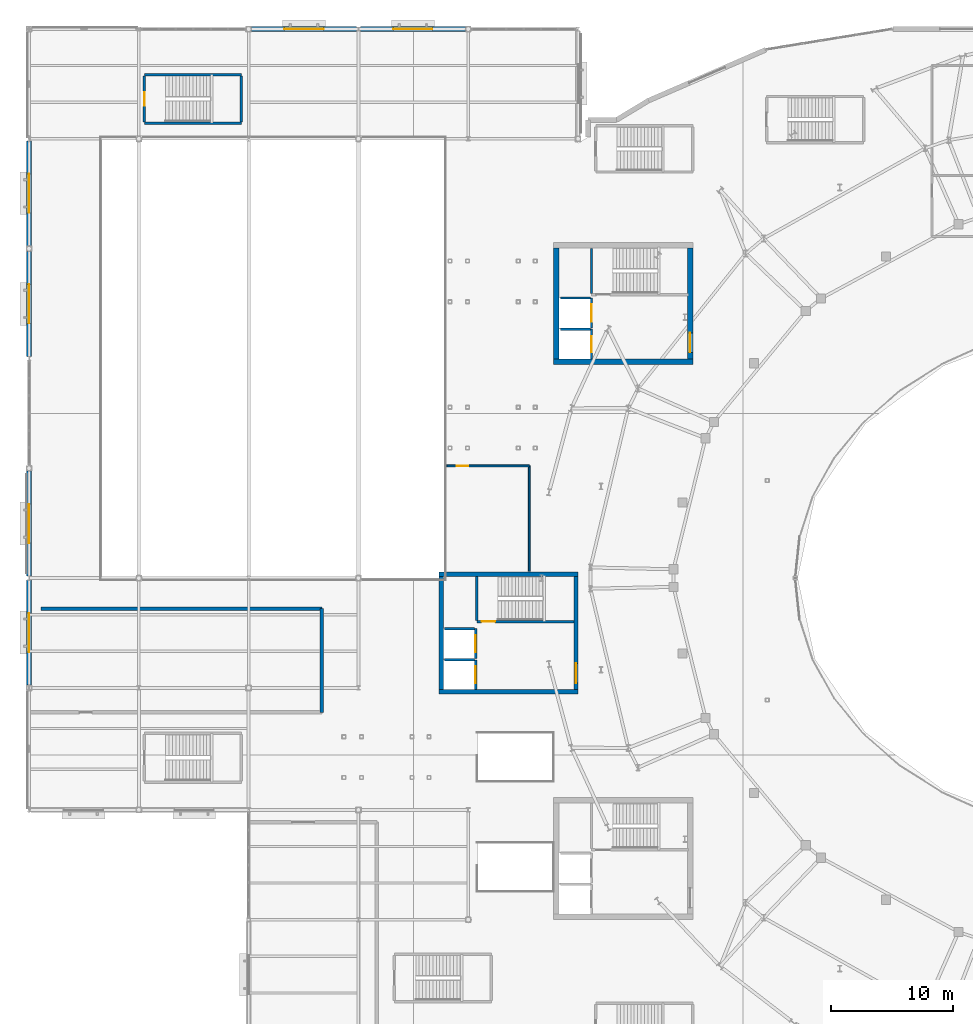
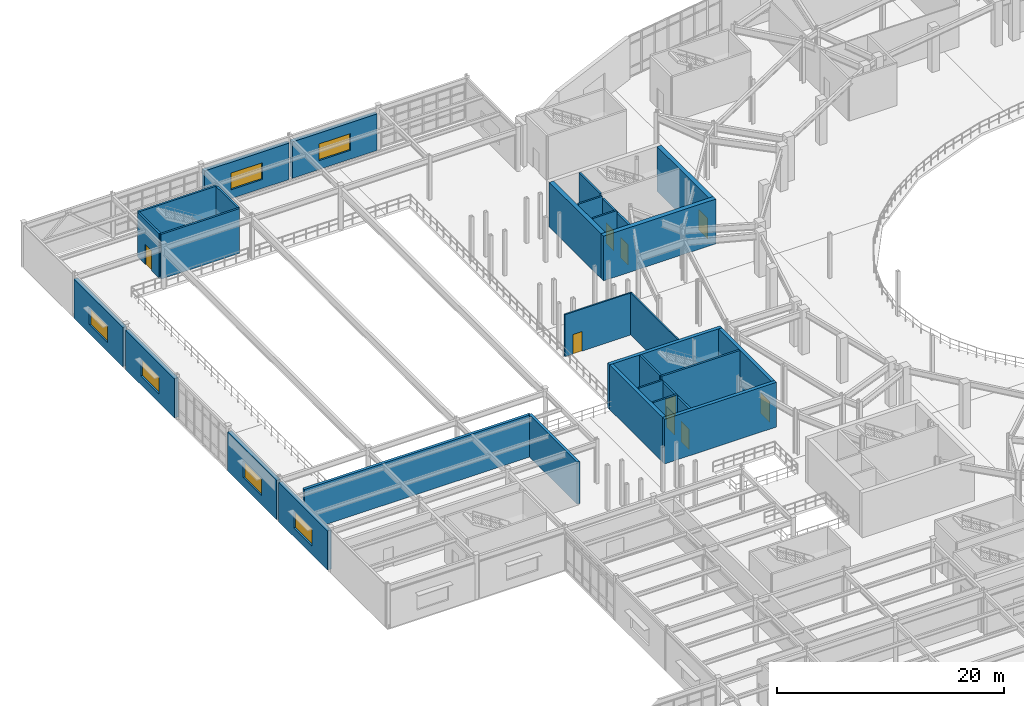
# One storey, part 62 of 86: 32 walls, 9 doors, 6 windows, 15 openings.
"""IFC4 building model written with IfcOpenShell, lengths in metres."""

from ifc_helpers import new_model, si_unit, direction, frame, frame_2d, origin, place, context, subcontext, project, spatial, rectangle, extrude, material, layer, layer_set, type_object, element, fill, save


model = new_model("IFC4")

# Units and contexts
model_context = context("Model", 3, precision=1e-05, world=origin(), true_north=direction((0.0, 1.0)))
body_context = subcontext(model_context, "Body", "Model", "MODEL_VIEW")
ifc_project = project(units=[si_unit("LENGTHUNIT", "METRE"), si_unit("AREAUNIT", "SQUARE_METRE"), si_unit("VOLUMEUNIT", "CUBIC_METRE"), si_unit("PLANEANGLEUNIT", "RADIAN"), si_unit("MASSUNIT", "GRAM", prefix="KILO")], contexts=[model_context])

# Site, building, storey
site_placement = place(None, origin())
site = spatial("IfcSite", under=ifc_project, at=site_placement, CompositionType="ELEMENT")
building_placement = place(site_placement, origin())
building = spatial("IfcBuilding", under=site, at=building_placement, Name="Glasvene Arena", CompositionType="ELEMENT")
storey_placement = place(building_placement, frame((0.0, 0.0, 5.39990234375)))
storey = spatial("IfcBuildingStorey", under=building, at=storey_placement, Name="L01", CompositionType="ELEMENT", Elevation=5.39990234375)

# Walls
ifc_material_1 = material(Name="Concrete C40/50", Category="concrete")
ifc_layer_1 = layer(ifc_material_1, 0.35009765625)
ifc_layer_set_1 = layer_set([ifc_layer_1], Name="Concrete C40/50")
wall_type_1 = type_object("IfcWallType", Name="WL-CORE-350", PredefinedType="SHEAR", material=ifc_layer_set_1)
for number, where, z_axis, x_axis, name in (
    (1, (33.60009765625, 63.675048828125, 0.0), (0.0, 0.0, 1.0), (1.0, 0.0, 0.0), "Core C5 West Media shear wall S L01"),
    (2, (33.60009765625, 73.324951171875, 0.0), (0.0, 0.0, 1.0), (1.0, 0.0, 0.0), "Core C5 West Media shear wall N L01"),
):
    element("IfcWall", number, at=place(storey_placement, frame(where, z_axis=z_axis, x_axis=x_axis)), inside=storey, type_object=wall_type_1, Name=name, PredefinedType="SHEAR", context=body_context, shape_type="SweptSolid", body=[
        extrude(rectangle(XDim=11.39990234375, YDim=0.35009765625, at=frame_2d((5.699951171875, 0.0))), origin(), (0.0, 0.0, 1.0), 4.800048828125),
    ])
wall_1_placement = place(storey_placement, frame((33.77490234375, 63.85009765625, 0.0), z_axis=(0.0, 0.0, 1.0), x_axis=(0.0, 1.0, 0.0)))
element("IfcWall", 3, at=wall_1_placement, inside=storey, type_object=wall_type_1, Name="Core C5 West Media shear wall W L01", PredefinedType="SHEAR", context=body_context, shape_type="SweptSolid", body=[
    extrude(rectangle(XDim=9.2998046875, YDim=0.35009765625, at=frame_2d((4.64990234375, 0.0))), origin(), (0.0, 0.0, 1.0), 4.800048828125),
])

# Wall, opening, door
wall_2_placement = place(storey_placement, frame((44.824951171875, 63.85009765625, 0.0), z_axis=(0.0, 0.0, 1.0), x_axis=(0.0, 1.0, 0.0)))
wall_2 = element("IfcWall", 4, at=wall_2_placement, inside=storey, type_object=wall_type_1, Name="Core C5 West Media shear wall E L01", PredefinedType="SHEAR", context=body_context, shape_type="SweptSolid", body=[
    extrude(rectangle(XDim=9.2998046875, YDim=0.35009765625, at=frame_2d((4.64990234375, 0.0))), origin(), (0.0, 0.0, 1.0), 4.800048828125),
])
opening_1_placement = place(wall_2_placement, frame((0.550048828125, 0.0, 0.0)))
opening_1 = element("IfcOpeningElement", 5, at=opening_1_placement, cuts=wall_2, Name="Opening D-02", PredefinedType="OPENING", context=body_context, shape_type="SweptSolid", body=[
    extrude(rectangle(XDim=1.60009765625, YDim=2.199951171875, at=frame_2d((0.800048828125, 1.10009765625))), frame((0.0, 0.18505859375, 0.0), z_axis=(0.0, -1.0, 0.0), x_axis=(1.0, 0.0, 0.0)), (0.0, 0.0, 1.0), 0.3701171875),
])
ifc_material_2 = material(Name="Painted fire-resisting steel", Category="steel")
door_type_1 = type_object("IfcDoorType", Name="DR-FD60-1600", OperationType="DOUBLE_DOOR_SINGLE_SWING", PredefinedType="DOOR", material=ifc_material_2)
door_1_placement = place(opening_1_placement, frame((1.60009765625, 0.0, 0.0), z_axis=(0.0, 0.0, 1.0), x_axis=(-1.0, 0.0, 0.0)))
door_1 = element("IfcDoor", 6, at=door_1_placement, inside=storey, type_object=door_type_1, Name="Core firefighting lobby concourse door C5-L01", OperationType="DOUBLE_DOOR_SINGLE_SWING", OverallHeight=2.199951171875, OverallWidth=1.60009765625, PredefinedType="DOOR", context=body_context, shape_type="SweptSolid", body=[
    extrude(rectangle(XDim=1.60009765625, YDim=2.199951171875, at=frame_2d((0.800048828125, 1.10009765625))), frame((0.0, 0.02490234375, 0.0), z_axis=(0.0, -1.0, 0.0), x_axis=(1.0, 0.0, 0.0)), (0.0, 0.0, 1.0), 0.050048828125),
])
fill(opening_1, door_1)

# Walls
ifc_layer_2 = layer(ifc_material_1, 0.449951171875)
ifc_layer_set_2 = layer_set([ifc_layer_2], Name="Concrete C40/50")
wall_type_2 = type_object("IfcWallType", Name="WL-CORE-450", PredefinedType="SHEAR", material=ifc_layer_set_2)
wall_3_placement = place(storey_placement, frame((43.0, 90.72509765625, 0.0), z_axis=(0.0, 0.0, 1.0), x_axis=(1.0, 0.0, 0.0)))
element("IfcWall", 7, at=wall_3_placement, inside=storey, type_object=wall_type_2, Name="Core C1 North-West shear wall S L01", PredefinedType="SHEAR", context=body_context, shape_type="SweptSolid", body=[
    extrude(rectangle(XDim=11.39990234375, YDim=0.449951171875, at=frame_2d((5.699951171875, 0.0))), origin(), (0.0, 0.0, 1.0), 4.800048828125),
])
wall_4_placement = place(storey_placement, frame((43.22509765625, 90.949951171875, 0.0), z_axis=(0.0, 0.0, 1.0), x_axis=(0.0, 1.0, 0.0)))
element("IfcWall", 8, at=wall_4_placement, inside=storey, type_object=wall_type_2, Name="Core C1 North-West shear wall W L01", PredefinedType="SHEAR", context=body_context, shape_type="SweptSolid", body=[
    extrude(rectangle(XDim=9.10009765625, YDim=0.449951171875, at=frame_2d((4.550048828125, 0.0))), origin(), (0.0, 0.0, 1.0), 4.800048828125),
])

# Wall, opening, door
wall_5_placement = place(storey_placement, frame((54.175048828125, 90.949951171875, 0.0), z_axis=(0.0, 0.0, 1.0), x_axis=(0.0, 1.0, 0.0)))
wall_5 = element("IfcWall", 9, at=wall_5_placement, inside=storey, type_object=wall_type_2, Name="Core C1 North-West shear wall E L01", PredefinedType="SHEAR", context=body_context, shape_type="SweptSolid", body=[
    extrude(rectangle(XDim=9.10009765625, YDim=0.449951171875, at=frame_2d((4.550048828125, 0.0))), origin(), (0.0, 0.0, 1.0), 4.800048828125),
])
opening_2_placement = place(wall_5_placement, frame((0.550048828125, 0.0, 0.0)))
opening_2 = element("IfcOpeningElement", 10, at=opening_2_placement, cuts=wall_5, Name="Opening D-02", PredefinedType="OPENING", context=body_context, shape_type="SweptSolid", body=[
    extrude(rectangle(XDim=1.60009765625, YDim=2.199951171875, at=frame_2d((0.800048828125, 1.10009765625))), frame((0.0, 0.23486328125, 0.0), z_axis=(0.0, -1.0, 0.0), x_axis=(1.0, 0.0, 0.0)), (0.0, 0.0, 1.0), 0.469970703125),
])
door_2_placement = place(opening_2_placement, frame((1.60009765625, 0.0, 0.0), z_axis=(0.0, 0.0, 1.0), x_axis=(-1.0, 0.0, 0.0)))
door_2 = element("IfcDoor", 11, at=door_2_placement, inside=storey, type_object=door_type_1, Name="Core firefighting lobby concourse door C1-L01", OperationType="DOUBLE_DOOR_SINGLE_SWING", OverallHeight=2.199951171875, OverallWidth=1.60009765625, PredefinedType="DOOR", context=body_context, shape_type="SweptSolid", body=[
    extrude(rectangle(XDim=1.60009765625, YDim=2.199951171875, at=frame_2d((0.800048828125, 1.10009765625))), frame((0.0, 0.02490234375, 0.0), z_axis=(0.0, -1.0, 0.0), x_axis=(1.0, 0.0, 0.0)), (0.0, 0.0, 1.0), 0.050048828125),
])
fill(opening_2, door_2)

# Wall, opening, window
ifc_material_3 = material(Name="Coursed pale Irish limestone", Category="masonry")
ifc_layer_3 = layer(ifc_material_3, 0.39990234375)
ifc_layer_set_3 = layer_set([ifc_layer_3], Name="Coursed pale Irish limestone")
wall_type_3 = type_object("IfcWallType", Name="WL-EXT-LIM-400", PredefinedType="STANDARD", material=ifc_layer_set_3)
wall_6_placement = place(storey_placement, frame((18.23046875, 118.0, 0.0), z_axis=(0.0, 0.0, 1.0), x_axis=(1.0, 0.0, 0.0)))
wall_6 = element("IfcWall", 12, at=wall_6_placement, inside=storey, type_object=wall_type_3, Name="External facade wall EW-L01-0066", PredefinedType="STANDARD", context=body_context, shape_type="SweptSolid", body=[
    extrude(rectangle(XDim=8.613037109375, YDim=0.39990234375, at=frame_2d((4.306640625, 0.0))), origin(), (0.0, 0.0, 1.0), 3.907470703125),
])
opening_3_placement = place(wall_6_placement, frame((2.7060546875, 0.0, 0.949951171875)))
opening_3 = element("IfcOpeningElement", 13, at=opening_3_placement, cuts=wall_6, Name="Opening W-03", PredefinedType="OPENING", context=body_context, shape_type="SweptSolid", body=[
    extrude(rectangle(XDim=3.199951171875, YDim=1.800048828125, at=frame_2d((1.60009765625, 0.89990234375))), frame((0.0, 0.2099609375, 0.0), z_axis=(0.0, -1.0, 0.0), x_axis=(1.0, 0.0, 0.0)), (0.0, 0.0, 1.0), 0.419921875),
])
ifc_material_4 = material(Name="Low-emissivity laminated double glazing", Category="glass")
window_type = type_object("IfcWindowType", Name="WN-CONC-320x180", PartitioningType="TRIPLE_PANEL_VERTICAL", PredefinedType="WINDOW", material=ifc_material_4)
window_1_placement = place(opening_3_placement, origin())
window_1 = element("IfcWindow", 14, at=window_1_placement, inside=storey, type_object=window_type, Name="Facade window WN-CONC-320x180 L01-0022", OverallHeight=1.800048828125, OverallWidth=3.199951171875, PartitioningType="SINGLE_PANEL", PredefinedType="WINDOW", context=body_context, shape_type="SweptSolid", body=[
    extrude(rectangle(XDim=3.199951171875, YDim=1.800048828125, at=frame_2d((1.60009765625, 0.89990234375))), frame((0.0, 0.030029296875, 0.0), z_axis=(0.0, -1.0, 0.0), x_axis=(1.0, 0.0, 0.0)), (0.0, 0.0, 1.0), 0.06005859375),
])
fill(opening_3, window_1)

wall_7_placement = place(storey_placement, frame((27.156494140625, 118.0, 0.0), z_axis=(0.0, 0.0, 1.0), x_axis=(1.0, 0.0, 0.0)))
wall_7 = element("IfcWall", 15, at=wall_7_placement, inside=storey, type_object=wall_type_3, Name="External facade wall EW-L01-0067", PredefinedType="STANDARD", context=body_context, shape_type="SweptSolid", body=[
    extrude(rectangle(XDim=8.613037109375, YDim=0.39990234375, at=frame_2d((4.306640625, 0.0))), origin(), (0.0, 0.0, 1.0), 3.907470703125),
])
opening_4_placement = place(wall_7_placement, frame((2.7060546875, 0.0, 0.949951171875)))
opening_4 = element("IfcOpeningElement", 16, at=opening_4_placement, cuts=wall_7, Name="Opening W-03", PredefinedType="OPENING", context=body_context, shape_type="SweptSolid", body=[
    extrude(rectangle(XDim=3.199951171875, YDim=1.800048828125, at=frame_2d((1.60009765625, 0.89990234375))), frame((0.0, 0.2099609375, 0.0), z_axis=(0.0, -1.0, 0.0), x_axis=(1.0, 0.0, 0.0)), (0.0, 0.0, 1.0), 0.419921875),
])
window_2_placement = place(opening_4_placement, origin())
window_2 = element("IfcWindow", 17, at=window_2_placement, inside=storey, type_object=window_type, Name="Facade window WN-CONC-320x180 L01-0023", OverallHeight=1.800048828125, OverallWidth=3.199951171875, PartitioningType="SINGLE_PANEL", PredefinedType="WINDOW", context=body_context, shape_type="SweptSolid", body=[
    extrude(rectangle(XDim=3.199951171875, YDim=1.800048828125, at=frame_2d((1.60009765625, 0.89990234375))), frame((0.0, 0.030029296875, 0.0), z_axis=(0.0, -1.0, 0.0), x_axis=(1.0, 0.0, 0.0)), (0.0, 0.0, 1.0), 0.06005859375),
])
fill(opening_4, window_2)

wall_8_placement = place(storey_placement, frame((0.0, 64.23046875, 0.0), z_axis=(0.0, 0.0, 1.0), x_axis=(0.0, 1.0, 0.0)))
wall_8 = element("IfcWall", 18, at=wall_8_placement, inside=storey, type_object=wall_type_3, Name="External facade wall EW-L01-0117", PredefinedType="STANDARD", context=body_context, shape_type="SweptSolid", body=[
    extrude(rectangle(XDim=8.607177734375, YDim=0.39990234375, at=frame_2d((4.3037109375, 0.0))), origin(), (0.0, 0.0, 1.0), 4.215087890625),
])
opening_5_placement = place(wall_8_placement, frame((2.7041015625, 0.0, 0.949951171875)))
opening_5 = element("IfcOpeningElement", 19, at=opening_5_placement, cuts=wall_8, Name="Opening W-03", PredefinedType="OPENING", context=body_context, shape_type="SweptSolid", body=[
    extrude(rectangle(XDim=3.199951171875, YDim=1.800048828125, at=frame_2d((1.60009765625, 0.89990234375))), frame((0.0, 0.2099609375, 0.0), z_axis=(0.0, -1.0, 0.0), x_axis=(1.0, 0.0, 0.0)), (0.0, 0.0, 1.0), 0.419921875),
])
window_3_placement = place(opening_5_placement, origin())
window_3 = element("IfcWindow", 20, at=window_3_placement, inside=storey, type_object=window_type, Name="Facade window WN-CONC-320x180 L01-0063", OverallHeight=1.800048828125, OverallWidth=3.199951171875, PartitioningType="SINGLE_PANEL", PredefinedType="WINDOW", context=body_context, shape_type="SweptSolid", body=[
    extrude(rectangle(XDim=3.199951171875, YDim=1.800048828125, at=frame_2d((1.60009765625, 0.89990234375))), frame((0.0, 0.030029296875, 0.0), z_axis=(0.0, -1.0, 0.0), x_axis=(1.0, 0.0, 0.0)), (0.0, 0.0, 1.0), 0.06005859375),
])
fill(opening_5, window_3)

wall_9_placement = place(storey_placement, frame((0.0, 73.162353515625, 0.0), z_axis=(0.0, 0.0, 1.0), x_axis=(0.0, 1.0, 0.0)))
wall_9 = element("IfcWall", 21, at=wall_9_placement, inside=storey, type_object=wall_type_3, Name="External facade wall EW-L01-0118", PredefinedType="STANDARD", context=body_context, shape_type="SweptSolid", body=[
    extrude(rectangle(XDim=8.607177734375, YDim=0.39990234375, at=frame_2d((4.3037109375, 0.0))), origin(), (0.0, 0.0, 1.0), 4.215087890625),
])
opening_6_placement = place(wall_9_placement, frame((2.7041015625, 0.0, 0.949951171875)))
opening_6 = element("IfcOpeningElement", 22, at=opening_6_placement, cuts=wall_9, Name="Opening W-03", PredefinedType="OPENING", context=body_context, shape_type="SweptSolid", body=[
    extrude(rectangle(XDim=3.199951171875, YDim=1.800048828125, at=frame_2d((1.60009765625, 0.89990234375))), frame((0.0, 0.2099609375, 0.0), z_axis=(0.0, -1.0, 0.0), x_axis=(1.0, 0.0, 0.0)), (0.0, 0.0, 1.0), 0.419921875),
])
window_4_placement = place(opening_6_placement, origin())
window_4 = element("IfcWindow", 23, at=window_4_placement, inside=storey, type_object=window_type, Name="Facade window WN-CONC-320x180 L01-0064", OverallHeight=1.800048828125, OverallWidth=3.199951171875, PartitioningType="SINGLE_PANEL", PredefinedType="WINDOW", context=body_context, shape_type="SweptSolid", body=[
    extrude(rectangle(XDim=3.199951171875, YDim=1.800048828125, at=frame_2d((1.60009765625, 0.89990234375))), frame((0.0, 0.030029296875, 0.0), z_axis=(0.0, -1.0, 0.0), x_axis=(1.0, 0.0, 0.0)), (0.0, 0.0, 1.0), 0.06005859375),
])
fill(opening_6, window_4)

wall_10_placement = place(storey_placement, frame((0.0, 91.162353515625, 0.0), z_axis=(0.0, 0.0, 1.0), x_axis=(0.0, 1.0, 0.0)))
wall_10 = element("IfcWall", 24, at=wall_10_placement, inside=storey, type_object=wall_type_3, Name="External facade wall EW-L01-0119", PredefinedType="STANDARD", context=body_context, shape_type="SweptSolid", body=[
    extrude(rectangle(XDim=8.607177734375, YDim=0.39990234375, at=frame_2d((4.3037109375, 0.0))), origin(), (0.0, 0.0, 1.0), 4.215087890625),
])
opening_7_placement = place(wall_10_placement, frame((2.7041015625, 0.0, 0.949951171875)))
opening_7 = element("IfcOpeningElement", 25, at=opening_7_placement, cuts=wall_10, Name="Opening W-03", PredefinedType="OPENING", context=body_context, shape_type="SweptSolid", body=[
    extrude(rectangle(XDim=3.199951171875, YDim=1.800048828125, at=frame_2d((1.60009765625, 0.89990234375))), frame((0.0, 0.2099609375, 0.0), z_axis=(0.0, -1.0, 0.0), x_axis=(1.0, 0.0, 0.0)), (0.0, 0.0, 1.0), 0.419921875),
])
window_5_placement = place(opening_7_placement, origin())
window_5 = element("IfcWindow", 26, at=window_5_placement, inside=storey, type_object=window_type, Name="Facade window WN-CONC-320x180 L01-0065", OverallHeight=1.800048828125, OverallWidth=3.199951171875, PartitioningType="SINGLE_PANEL", PredefinedType="WINDOW", context=body_context, shape_type="SweptSolid", body=[
    extrude(rectangle(XDim=3.199951171875, YDim=1.800048828125, at=frame_2d((1.60009765625, 0.89990234375))), frame((0.0, 0.030029296875, 0.0), z_axis=(0.0, -1.0, 0.0), x_axis=(1.0, 0.0, 0.0)), (0.0, 0.0, 1.0), 0.06005859375),
])
fill(opening_7, window_5)

wall_11_placement = place(storey_placement, frame((0.0, 100.23046875, 0.0), z_axis=(0.0, 0.0, 1.0), x_axis=(0.0, 1.0, 0.0)))
wall_11 = element("IfcWall", 27, at=wall_11_placement, inside=storey, type_object=wall_type_3, Name="External facade wall EW-L01-0120", PredefinedType="STANDARD", context=body_context, shape_type="SweptSolid", body=[
    extrude(rectangle(XDim=8.607177734375, YDim=0.39990234375, at=frame_2d((4.3037109375, 0.0))), origin(), (0.0, 0.0, 1.0), 4.215087890625),
])
opening_8_placement = place(wall_11_placement, frame((2.7041015625, 0.0, 0.949951171875)))
opening_8 = element("IfcOpeningElement", 28, at=opening_8_placement, cuts=wall_11, Name="Opening W-03", PredefinedType="OPENING", context=body_context, shape_type="SweptSolid", body=[
    extrude(rectangle(XDim=3.199951171875, YDim=1.800048828125, at=frame_2d((1.60009765625, 0.89990234375))), frame((0.0, 0.2099609375, 0.0), z_axis=(0.0, -1.0, 0.0), x_axis=(1.0, 0.0, 0.0)), (0.0, 0.0, 1.0), 0.419921875),
])
window_6_placement = place(opening_8_placement, origin())
window_6 = element("IfcWindow", 29, at=window_6_placement, inside=storey, type_object=window_type, Name="Facade window WN-CONC-320x180 L01-0066", OverallHeight=1.800048828125, OverallWidth=3.199951171875, PartitioningType="SINGLE_PANEL", PredefinedType="WINDOW", context=body_context, shape_type="SweptSolid", body=[
    extrude(rectangle(XDim=3.199951171875, YDim=1.800048828125, at=frame_2d((1.60009765625, 0.89990234375))), frame((0.0, 0.030029296875, 0.0), z_axis=(0.0, -1.0, 0.0), x_axis=(1.0, 0.0, 0.0)), (0.0, 0.0, 1.0), 0.06005859375),
])
fill(opening_8, window_6)

# Wall
ifc_material_5 = material(Name="Insulated acoustic metal-stud partition")
ifc_layer_4 = layer(ifc_material_5, 0.14990234375)
ifc_layer_set_4 = layer_set([ifc_layer_4], Name="Insulated acoustic metal-stud partition")
wall_type_4 = type_object("IfcWallType", Name="WL-PART-150", PredefinedType="PARTITIONING", material=ifc_layer_set_4)
wall_12_placement = place(storey_placement, frame((41.0, 73.550048828125, 0.0), z_axis=(0.0, 0.0, 1.0), x_axis=(0.0, 1.0, 0.0)))
element("IfcWall", 30, at=wall_12_placement, inside=storey, type_object=wall_type_4, Name="Interior partition wall IW-L01-0180 (Youth Sports Viewing Gallery)", PredefinedType="PARTITIONING", context=body_context, shape_type="SweptSolid", body=[
    extrude(rectangle(XDim=8.64990234375, YDim=0.14990234375, at=frame_2d((4.324951171875, 0.0))), origin(), (0.0, 0.0, 1.0), 4.52001953125),
])

# Wall, opening, door
wall_13_placement = place(storey_placement, frame((41.0, 82.199951171875, 0.0), z_axis=(0.0, 0.0, 1.0), x_axis=(-1.0, 0.0, 0.0)))
wall_13 = element("IfcWall", 31, at=wall_13_placement, inside=storey, type_object=wall_type_4, Name="Interior partition wall IW-L01-0181 (Youth Sports Viewing Gallery)", PredefinedType="PARTITIONING", context=body_context, shape_type="SweptSolid", body=[
    extrude(rectangle(XDim=6.75, YDim=0.14990234375, at=frame_2d((3.375, 0.0))), origin(), (0.0, 0.0, 1.0), 4.52001953125),
])
opening_9_placement = place(wall_13_placement, frame((5.0, 0.0, 0.0)))
opening_9 = element("IfcOpeningElement", 32, at=opening_9_placement, cuts=wall_13, Name="Opening D-07", PredefinedType="OPENING", context=body_context, shape_type="SweptSolid", body=[
    extrude(rectangle(XDim=0.949951171875, YDim=2.10009765625, at=frame_2d((0.47509765625, 1.050048828125))), frame((0.0, 0.0849609375, 0.0), z_axis=(0.0, -1.0, 0.0), x_axis=(1.0, 0.0, 0.0)), (0.0, 0.0, 1.0), 0.169921875),
])
ifc_material_6 = material(Name="European oak fire-resisting timber", Category="wood")
door_type_2 = type_object("IfcDoorType", Name="DR-FD30-950", OperationType="NOTDEFINED", PredefinedType="DOOR", material=ifc_material_6)
door_3_placement = place(opening_9_placement, origin())
door_3 = element("IfcDoor", 33, at=door_3_placement, inside=storey, type_object=door_type_2, Name="Interior door DR-FD30-950 (Youth Sports Viewing Gallery)", OperationType="SINGLE_SWING_RIGHT", OverallHeight=2.10009765625, OverallWidth=0.949951171875, PredefinedType="DOOR", context=body_context, shape_type="SweptSolid", body=[
    extrude(rectangle(XDim=0.949951171875, YDim=2.10009765625, at=frame_2d((0.47509765625, 1.050048828125))), frame((0.0, 0.02490234375, 0.0), z_axis=(0.0, -1.0, 0.0), x_axis=(1.0, 0.0, 0.0)), (0.0, 0.0, 1.0), 0.050048828125),
])
fill(opening_9, door_3)

ifc_layer_5 = layer(ifc_material_1, 0.199951171875)
ifc_layer_set_5 = layer_set([ifc_layer_5], Name="Concrete C40/50")
wall_type_5 = type_object("IfcWallType", Name="WL-SHAFT-200", PredefinedType="SHEAR", material=ifc_layer_set_5)
wall_14_placement = place(storey_placement, frame((46.10009765625, 90.949951171875, 0.0), z_axis=(0.0, 0.0, 1.0), x_axis=(0.0, 1.0, 0.0)))
wall_14 = element("IfcWall", 34, at=wall_14_placement, inside=storey, type_object=wall_type_5, Name="Lift shaft front wall FFL-01 L01", PredefinedType="SHEAR", context=body_context, shape_type="SweptSolid", body=[
    extrude(rectangle(XDim=2.449951171875, YDim=0.199951171875, at=frame_2d((1.22509765625, 0.0))), origin(), (0.0, 0.0, 1.0), 4.52001953125),
])
opening_10_placement = place(wall_14_placement, frame((0.574951171875, 0.0, 0.0)))
opening_10 = element("IfcOpeningElement", 35, at=opening_10_placement, cuts=wall_14, Name="Opening LD-FF", PredefinedType="OPENING", context=body_context, shape_type="SweptSolid", body=[
    extrude(rectangle(XDim=1.300048828125, YDim=2.199951171875, at=frame_2d((0.64990234375, 1.10009765625))), frame((0.0, 0.10986328125, 0.0), z_axis=(0.0, -1.0, 0.0), x_axis=(1.0, 0.0, 0.0)), (0.0, 0.0, 1.0), 0.219970703125),
])
ifc_material_7 = material(Name="Brushed stainless steel", Category="steel")
door_type_3 = type_object("IfcDoorType", Name="LD-FFL-1300", OperationType="DOUBLE_DOOR_SLIDING", PredefinedType="DOOR", material=ifc_material_7)
door_4_placement = place(opening_10_placement, origin())
door_4 = element("IfcDoor", 36, at=door_4_placement, inside=storey, type_object=door_type_3, Name="Lift sliding landing door LD-FFL-01-L01", OperationType="DOUBLE_DOOR_SLIDING", OverallHeight=2.199951171875, OverallWidth=1.300048828125, PredefinedType="DOOR", context=body_context, shape_type="SweptSolid", body=[
    extrude(rectangle(XDim=1.300048828125, YDim=2.199951171875, at=frame_2d((0.64990234375, 1.10009765625))), frame((0.0, 0.02490234375, 0.0), z_axis=(0.0, -1.0, 0.0), x_axis=(1.0, 0.0, 0.0)), (0.0, 0.0, 1.0), 0.050048828125),
])
fill(opening_10, door_4)

wall_15_placement = place(storey_placement, frame((46.10009765625, 93.5, 0.0), z_axis=(0.0, 0.0, 1.0), x_axis=(0.0, 1.0, 0.0)))
wall_15 = element("IfcWall", 37, at=wall_15_placement, inside=storey, type_object=wall_type_5, Name="Lift shaft front wall PL-01 L01", PredefinedType="SHEAR", context=body_context, shape_type="SweptSolid", body=[
    extrude(rectangle(XDim=2.449951171875, YDim=0.199951171875, at=frame_2d((1.22509765625, 0.0))), origin(), (0.0, 0.0, 1.0), 4.52001953125),
])
opening_11_placement = place(wall_15_placement, frame((0.52490234375, 0.0, 0.0)))
opening_11 = element("IfcOpeningElement", 38, at=opening_11_placement, cuts=wall_15, Name="Opening LD-PL", PredefinedType="OPENING", context=body_context, shape_type="SweptSolid", body=[
    extrude(rectangle(XDim=1.39990234375, YDim=2.199951171875, at=frame_2d((0.699951171875, 1.10009765625))), frame((0.0, 0.10986328125, 0.0), z_axis=(0.0, -1.0, 0.0), x_axis=(1.0, 0.0, 0.0)), (0.0, 0.0, 1.0), 0.219970703125),
])
door_type_4 = type_object("IfcDoorType", Name="LD-PL-1400", OperationType="DOUBLE_DOOR_SLIDING", PredefinedType="DOOR", material=ifc_material_7)
door_5_placement = place(opening_11_placement, origin())
door_5 = element("IfcDoor", 39, at=door_5_placement, inside=storey, type_object=door_type_4, Name="Lift sliding landing door LD-PL-01-L01", OperationType="DOUBLE_DOOR_SLIDING", OverallHeight=2.199951171875, OverallWidth=1.39990234375, PredefinedType="DOOR", context=body_context, shape_type="SweptSolid", body=[
    extrude(rectangle(XDim=1.39990234375, YDim=2.199951171875, at=frame_2d((0.699951171875, 1.10009765625))), frame((0.0, 0.02490234375, 0.0), z_axis=(0.0, -1.0, 0.0), x_axis=(1.0, 0.0, 0.0)), (0.0, 0.0, 1.0), 0.050048828125),
])
fill(opening_11, door_5)

wall_16_placement = place(storey_placement, frame((36.60009765625, 63.85009765625, 0.0), z_axis=(0.0, 0.0, 1.0), x_axis=(0.0, 1.0, 0.0)))
wall_16 = element("IfcWall", 40, at=wall_16_placement, inside=storey, type_object=wall_type_5, Name="Lift shaft front wall PL-05 L01", PredefinedType="SHEAR", context=body_context, shape_type="SweptSolid", body=[
    extrude(rectangle(XDim=2.449951171875, YDim=0.199951171875, at=frame_2d((1.22509765625, 0.0))), origin(), (0.0, 0.0, 1.0), 4.52001953125),
])
opening_12_placement = place(wall_16_placement, frame((0.52490234375, 0.0, 0.0)))
opening_12 = element("IfcOpeningElement", 41, at=opening_12_placement, cuts=wall_16, Name="Opening LD-PL", PredefinedType="OPENING", context=body_context, shape_type="SweptSolid", body=[
    extrude(rectangle(XDim=1.39990234375, YDim=2.199951171875, at=frame_2d((0.699951171875, 1.10009765625))), frame((0.0, 0.10986328125, 0.0), z_axis=(0.0, -1.0, 0.0), x_axis=(1.0, 0.0, 0.0)), (0.0, 0.0, 1.0), 0.219970703125),
])
door_6_placement = place(opening_12_placement, origin())
door_6 = element("IfcDoor", 42, at=door_6_placement, inside=storey, type_object=door_type_4, Name="Lift sliding landing door LD-PL-05-L01", OperationType="DOUBLE_DOOR_SLIDING", OverallHeight=2.199951171875, OverallWidth=1.39990234375, PredefinedType="DOOR", context=body_context, shape_type="SweptSolid", body=[
    extrude(rectangle(XDim=1.39990234375, YDim=2.199951171875, at=frame_2d((0.699951171875, 1.10009765625))), frame((0.0, 0.02490234375, 0.0), z_axis=(0.0, -1.0, 0.0), x_axis=(1.0, 0.0, 0.0)), (0.0, 0.0, 1.0), 0.050048828125),
])
fill(opening_12, door_6)

wall_17_placement = place(storey_placement, frame((36.60009765625, 66.39990234375, 0.0), z_axis=(0.0, 0.0, 1.0), x_axis=(0.0, 1.0, 0.0)))
wall_17 = element("IfcWall", 43, at=wall_17_placement, inside=storey, type_object=wall_type_5, Name="Lift shaft front wall PL-06 L01", PredefinedType="SHEAR", context=body_context, shape_type="SweptSolid", body=[
    extrude(rectangle(XDim=2.4501953125, YDim=0.199951171875, at=frame_2d((1.22509765625, 0.0))), origin(), (0.0, 0.0, 1.0), 4.52001953125),
])
opening_13_placement = place(wall_17_placement, frame((0.52490234375, 0.0, 0.0)))
opening_13 = element("IfcOpeningElement", 44, at=opening_13_placement, cuts=wall_17, Name="Opening LD-PL", PredefinedType="OPENING", context=body_context, shape_type="SweptSolid", body=[
    extrude(rectangle(XDim=1.39990234375, YDim=2.199951171875, at=frame_2d((0.699951171875, 1.10009765625))), frame((0.0, 0.10986328125, 0.0), z_axis=(0.0, -1.0, 0.0), x_axis=(1.0, 0.0, 0.0)), (0.0, 0.0, 1.0), 0.219970703125),
])
door_7_placement = place(opening_13_placement, origin())
door_7 = element("IfcDoor", 45, at=door_7_placement, inside=storey, type_object=door_type_4, Name="Lift sliding landing door LD-PL-06-L01", OperationType="DOUBLE_DOOR_SLIDING", OverallHeight=2.199951171875, OverallWidth=1.39990234375, PredefinedType="DOOR", context=body_context, shape_type="SweptSolid", body=[
    extrude(rectangle(XDim=1.39990234375, YDim=2.199951171875, at=frame_2d((0.699951171875, 1.10009765625))), frame((0.0, 0.02490234375, 0.0), z_axis=(0.0, -1.0, 0.0), x_axis=(1.0, 0.0, 0.0)), (0.0, 0.0, 1.0), 0.050048828125),
])
fill(opening_13, door_7)

# Wall
wall_18_placement = place(storey_placement, frame((46.10009765625, 96.33203125, 0.0), z_axis=(0.0, 0.0, 1.0), x_axis=(0.0, 1.0, 0.0)))
element("IfcWall", 46, at=wall_18_placement, inside=storey, type_object=wall_type_5, Name="Escape stair shaft wall ST-01 L01 W", PredefinedType="SHEAR", context=body_context, shape_type="SweptSolid", body=[
    extrude(rectangle(XDim=3.68603515625, YDim=0.199951171875, at=frame_2d((1.843017578125, 0.0))), origin(), (0.0, 0.0, 1.0), 4.800048828125),
])

# Wall, opening, door
wall_19_placement = place(storey_placement, frame((36.699951171875, 69.429931640625, 0.0), z_axis=(0.0, 0.0, 1.0), x_axis=(1.0, 0.0, 0.0)))
wall_19 = element("IfcWall", 47, at=wall_19_placement, inside=storey, type_object=wall_type_5, Name="Escape stair shaft wall ST-07 L01 S", PredefinedType="SHEAR", context=body_context, shape_type="SweptSolid", body=[
    extrude(rectangle(XDim=7.949951171875, YDim=0.199951171875, at=frame_2d((3.97509765625, 0.0))), origin(), (0.0, 0.0, 1.0), 4.800048828125),
])
opening_14_placement = place(wall_19_placement, frame((0.39990234375, 0.0, 0.0)))
opening_14 = element("IfcOpeningElement", 48, at=opening_14_placement, cuts=wall_19, Name="Opening D-04", PredefinedType="OPENING", context=body_context, shape_type="SweptSolid", body=[
    extrude(rectangle(XDim=1.10009765625, YDim=2.14990234375, at=frame_2d((0.550048828125, 1.074951171875))), frame((0.0, 0.10986328125, 0.0), z_axis=(0.0, -1.0, 0.0), x_axis=(1.0, 0.0, 0.0)), (0.0, 0.0, 1.0), 0.219970703125),
])
door_type_5 = type_object("IfcDoorType", Name="DR-FD60-1100", OperationType="NOTDEFINED", PredefinedType="DOOR", material=ifc_material_2)
door_8_placement = place(opening_14_placement, frame((1.10009765625, 0.0, 0.0), z_axis=(0.0, 0.0, 1.0), x_axis=(-1.0, 0.0, 0.0)))
door_8 = element("IfcDoor", 49, at=door_8_placement, inside=storey, type_object=door_type_5, Name="Protected escape stair door ST-07 L01", OperationType="SINGLE_SWING_RIGHT", OverallHeight=2.14990234375, OverallWidth=1.10009765625, PredefinedType="DOOR", context=body_context, shape_type="SweptSolid", body=[
    extrude(rectangle(XDim=1.10009765625, YDim=2.14990234375, at=frame_2d((0.550048828125, 1.074951171875))), frame((0.0, 0.02490234375, 0.0), z_axis=(0.0, -1.0, 0.0), x_axis=(1.0, 0.0, 0.0)), (0.0, 0.0, 1.0), 0.050048828125),
])
fill(opening_14, door_8)

# Walls
wall_20_placement = place(storey_placement, frame((36.699951171875, 69.531982421875, 0.0), z_axis=(0.0, 0.0, 1.0), x_axis=(0.0, 1.0, 0.0)))
element("IfcWall", 50, at=wall_20_placement, inside=storey, type_object=wall_type_5, Name="Escape stair shaft wall ST-07 L01 W", PredefinedType="SHEAR", context=body_context, shape_type="SweptSolid", body=[
    extrude(rectangle(XDim=3.5859375, YDim=0.199951171875, at=frame_2d((1.79296875, 0.0))), origin(), (0.0, 0.0, 1.0), 4.800048828125),
])
wall_21_placement = place(storey_placement, frame((9.449951171875, 110.280029296875, 0.0), z_axis=(0.0, 0.0, 1.0), x_axis=(1.0, 0.0, 0.0)))
element("IfcWall", 51, at=wall_21_placement, inside=storey, type_object=wall_type_5, Name="Escape stair shaft wall ST-14 L01 S", PredefinedType="SHEAR", context=body_context, shape_type="SweptSolid", body=[
    extrude(rectangle(XDim=7.949951171875, YDim=0.199951171875, at=frame_2d((3.97509765625, 0.0))), origin(), (0.0, 0.0, 1.0), 4.800048828125),
])

# Wall, opening, door
wall_22_placement = place(storey_placement, frame((9.449951171875, 110.382080078125, 0.0), z_axis=(0.0, 0.0, 1.0), x_axis=(0.0, 1.0, 0.0)))
wall_22 = element("IfcWall", 52, at=wall_22_placement, inside=storey, type_object=wall_type_5, Name="Escape stair shaft wall ST-14 L01 W", PredefinedType="SHEAR", context=body_context, shape_type="SweptSolid", body=[
    extrude(rectangle(XDim=3.785888671875, YDim=0.199951171875, at=frame_2d((1.89306640625, 0.0))), origin(), (0.0, 0.0, 1.0), 4.800048828125),
])
opening_15_placement = place(wall_22_placement, frame((1.343017578125, 0.0, 0.0)))
opening_15 = element("IfcOpeningElement", 53, at=opening_15_placement, cuts=wall_22, Name="Opening D-04", PredefinedType="OPENING", context=body_context, shape_type="SweptSolid", body=[
    extrude(rectangle(XDim=1.10009765625, YDim=2.14990234375, at=frame_2d((0.550048828125, 1.074951171875))), frame((0.0, 0.10986328125, 0.0), z_axis=(0.0, -1.0, 0.0), x_axis=(1.0, 0.0, 0.0)), (0.0, 0.0, 1.0), 0.219970703125),
])
door_9_placement = place(opening_15_placement, frame((1.10009765625, 0.0, 0.0), z_axis=(0.0, 0.0, 1.0), x_axis=(-1.0, 0.0, 0.0)))
door_9 = element("IfcDoor", 54, at=door_9_placement, inside=storey, type_object=door_type_5, Name="Protected escape stair door ST-14 L01", OperationType="SINGLE_SWING_LEFT", OverallHeight=2.14990234375, OverallWidth=1.10009765625, PredefinedType="DOOR", context=body_context, shape_type="SweptSolid", body=[
    extrude(rectangle(XDim=1.10009765625, YDim=2.14990234375, at=frame_2d((0.550048828125, 1.074951171875))), frame((0.0, 0.02490234375, 0.0), z_axis=(0.0, -1.0, 0.0), x_axis=(1.0, 0.0, 0.0)), (0.0, 0.0, 1.0), 0.050048828125),
])
fill(opening_15, door_9)

# Walls
wall_23_placement = place(storey_placement, frame((17.39990234375, 110.382080078125, 0.0), z_axis=(0.0, 0.0, 1.0), x_axis=(0.0, 1.0, 0.0)))
element("IfcWall", 55, at=wall_23_placement, inside=storey, type_object=wall_type_5, Name="Escape stair shaft wall ST-14 L01 E", PredefinedType="SHEAR", context=body_context, shape_type="SweptSolid", body=[
    extrude(rectangle(XDim=3.785888671875, YDim=0.199951171875, at=frame_2d((1.89306640625, 0.0))), origin(), (0.0, 0.0, 1.0), 4.800048828125),
])
wall_24_placement = place(storey_placement, frame((9.449951171875, 114.27001953125, 0.0), z_axis=(0.0, 0.0, 1.0), x_axis=(1.0, 0.0, 0.0)))
element("IfcWall", 56, at=wall_24_placement, inside=storey, type_object=wall_type_5, Name="Escape stair shaft wall ST-14 L01 N", PredefinedType="SHEAR", context=body_context, shape_type="SweptSolid", body=[
    extrude(rectangle(XDim=7.949951171875, YDim=0.199951171875, at=frame_2d((3.97509765625, 0.0))), origin(), (0.0, 0.0, 1.0), 4.800048828125),
])
ifc_material_8 = material(Name="Twin-frame acoustic gypsum partition")
ifc_layer_6 = layer(ifc_material_8, 0.280029296875)
ifc_layer_set_6 = layer_set([ifc_layer_6], Name="Twin-frame acoustic gypsum partition")
wall_type_6 = type_object("IfcWallType", Name="WL-STUDIO-280", PredefinedType="PARTITIONING", material=ifc_layer_set_6)
wall_25_placement = place(storey_placement, frame((1.0, 70.5, 0.0), z_axis=(0.0, 0.0, 1.0), x_axis=(1.0, 0.0, 0.0)))
element("IfcWall", 57, at=wall_25_placement, inside=storey, type_object=wall_type_6, Name="Interior partition wall IW-L01-0177 (Community Martial Arts Studio)", PredefinedType="PARTITIONING", context=body_context, shape_type="SweptSolid", body=[
    extrude(rectangle(XDim=23.0, YDim=0.280029296875, at=frame_2d((11.5, 0.0))), origin(), (0.0, 0.0, 1.0), 4.52001953125),
])
wall_26_placement = place(storey_placement, frame((24.0, 70.5, 0.0), z_axis=(0.0, 0.0, 1.0), x_axis=(0.0, -1.0, 0.0)))
element("IfcWall", 58, at=wall_26_placement, inside=storey, type_object=wall_type_6, Name="Interior partition wall IW-L01-0178 (Community Martial Arts Studio)", PredefinedType="PARTITIONING", context=body_context, shape_type="SweptSolid", body=[
    extrude(rectangle(XDim=8.5, YDim=0.280029296875, at=frame_2d((4.25, 0.0))), origin(), (0.0, 0.0, 1.0), 4.52001953125),
])
ifc_material_9 = material(Name="Moisture-resistant masonry blockwork", Category="masonry")
ifc_layer_7 = layer(ifc_material_9, 0.179931640625)
ifc_layer_set_7 = layer_set([ifc_layer_7], Name="Moisture-resistant masonry blockwork")
wall_type_7 = type_object("IfcWallType", Name="WL-WET-180", PredefinedType="PARTITIONING", material=ifc_layer_set_7)
for number, where, z_axis, x_axis, name in (
    (59, (43.550048828125, 93.39990234375, 0.0), (0.0, 0.0, 1.0), (1.0, 0.0, 0.0), "Lift shaft divider wall C1 L01"),
    (60, (43.550048828125, 95.949951171875, 0.0), (0.0, 0.0, 1.0), (1.0, 0.0, 0.0), "Lift shaft north enclosure wall C1 L01"),
    (61, (34.050048828125, 66.300048828125, 0.0), (0.0, 0.0, 1.0), (1.0, 0.0, 0.0), "Lift shaft divider wall C5 L01"),
    (62, (34.050048828125, 68.85009765625, 0.0), (0.0, 0.0, 1.0), (1.0, 0.0, 0.0), "Lift shaft north enclosure wall C5 L01"),
):
    element("IfcWall", number, at=place(storey_placement, frame(where, z_axis=z_axis, x_axis=x_axis)), inside=storey, type_object=wall_type_7, Name=name, PredefinedType="PARTITIONING", context=body_context, shape_type="SweptSolid", body=[
        extrude(rectangle(XDim=2.449951171875, YDim=0.179931640625, at=frame_2d((1.22509765625, 0.0))), origin(), (0.0, 0.0, 1.0), 4.800048828125),
    ])

save(model, "model.ifc")
